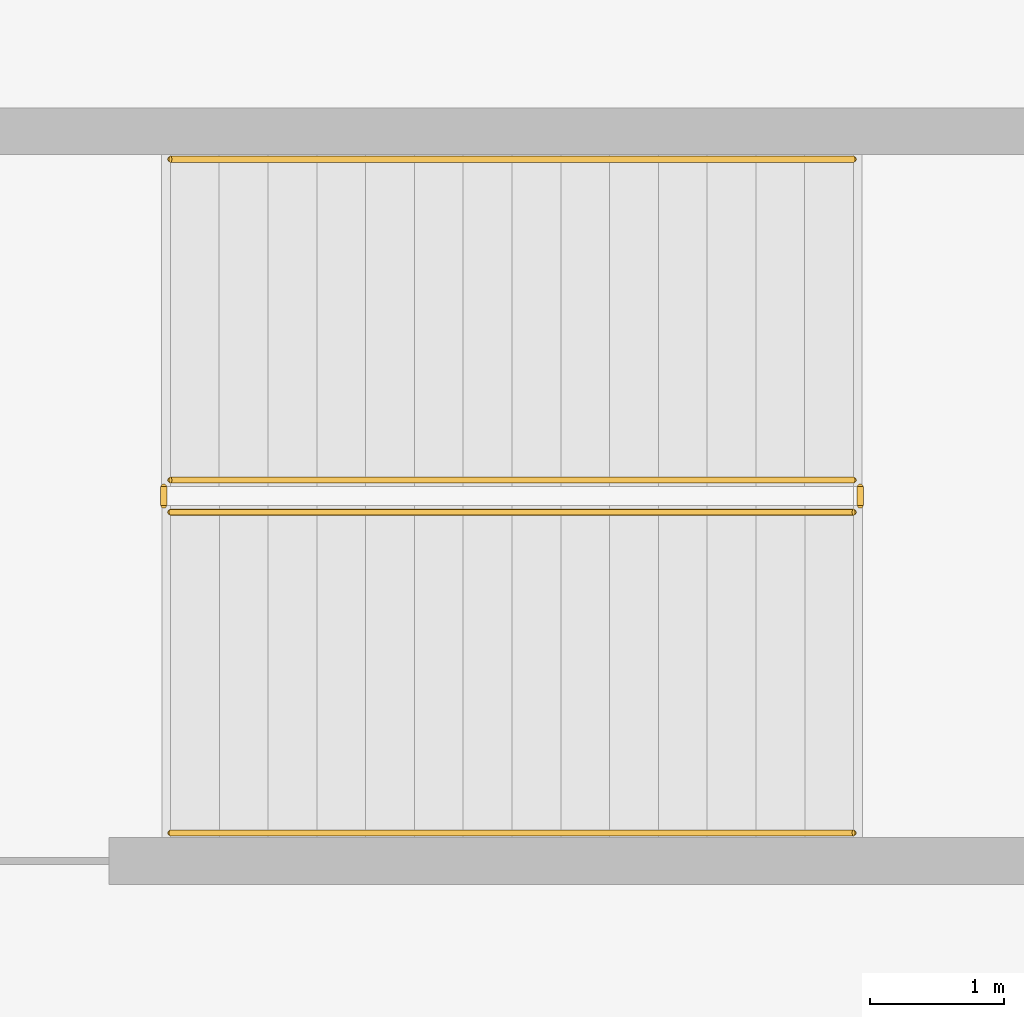
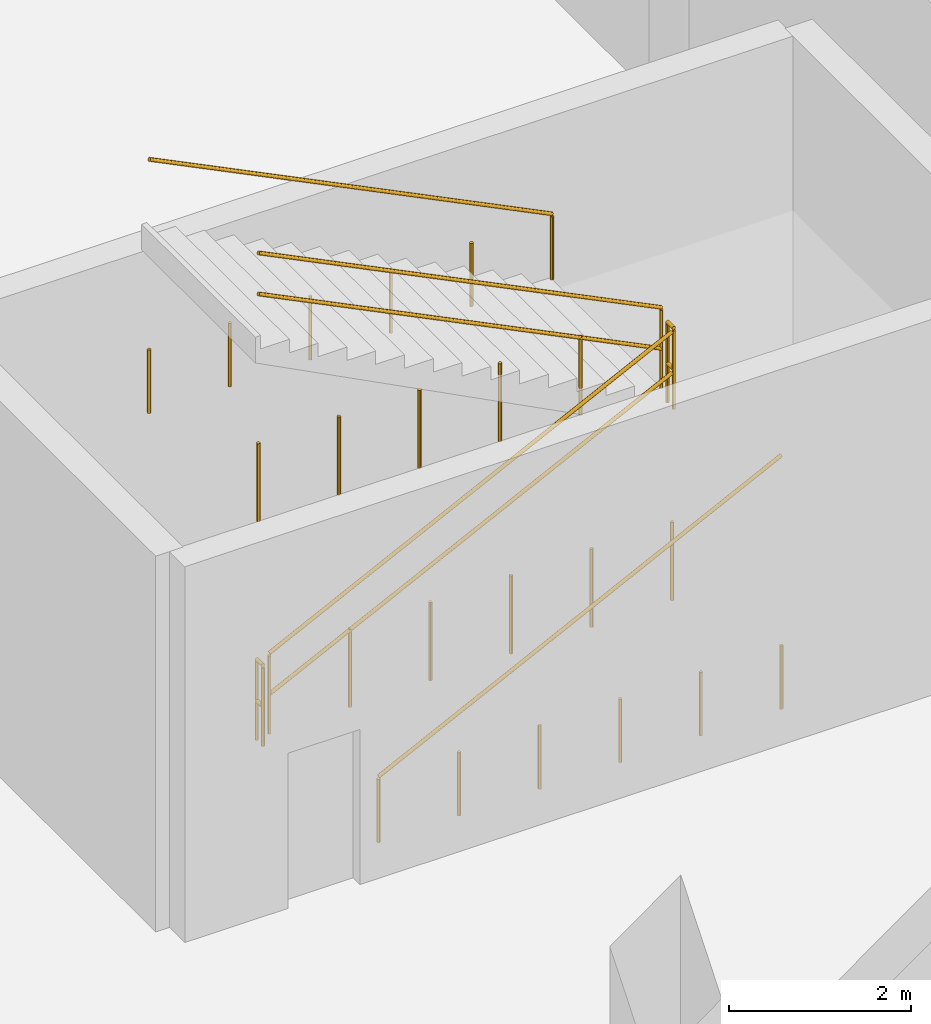
# One storey, part 41 of 44: 6 railings.
"""IFC4 building model written with IfcOpenShell, lengths in metres."""

from ifc_helpers import new_model, si_unit, direction, frame, origin, origin_2d, place, context, subcontext, project, spatial, circle, extrude, material, type_object, element, save


model = new_model("IFC4")

# Units and contexts
model_context = context("Model", 3, precision=1e-05, world=origin(), true_north=direction((0.0, 1.0)))
body_context = subcontext(model_context, "Body", "Model", "MODEL_VIEW")
ifc_project = project(units=[si_unit("LENGTHUNIT", "METRE"), si_unit("AREAUNIT", "SQUARE_METRE"), si_unit("VOLUMEUNIT", "CUBIC_METRE"), si_unit("PLANEANGLEUNIT", "RADIAN"), si_unit("MASSUNIT", "GRAM", prefix="KILO")], contexts=[model_context])

# Site, building, storey
site_placement = place(None, origin())
site = spatial("IfcSite", under=ifc_project, at=site_placement, CompositionType="ELEMENT")
building_placement = place(site_placement, origin())
building = spatial("IfcBuilding", under=site, at=building_placement, Name="Danafjord Basin Convention Centre", CompositionType="ELEMENT")
storey_placement = place(building_placement, frame((0.0, 0.0, -5.39990234375)))
storey = spatial("IfcBuildingStorey", under=building, at=storey_placement, Name="B1", CompositionType="ELEMENT", Elevation=-5.39990234375)

# Railings
ifc_material_1 = material(Name="Galvanised steel S355", Category="steel")
railing_type_1 = type_object("IfcRailingType", Name="RL-GD-WELL", PredefinedType="BALUSTRADE", material=ifc_material_1)
railing_1_placement = place(storey_placement, frame((201.080078125, 55.81005859375, 0.179931640625)))
element("IfcRailing", 1, at=railing_1_placement, inside=storey, type_object=railing_type_1, Name="B1 ST-13 stair guard 1", PredefinedType="BALUSTRADE", context=body_context, shape_type="SweptSolid", body=[
    extrude(circle(Radius=0.02392578125, at=origin_2d()), frame((0.0, 0.0, 1.076171875), z_axis=(0.89686481642, 0.0, 0.442304760396), x_axis=(0.0, 1.0, 0.0)), (0.0, 0.0, 1.0), 5.697509765625),
    extrude(circle(Radius=0.02392578125, at=origin_2d()), frame((0.0, 0.0, 0.52587890625), z_axis=(0.89686481642, 0.0, 0.442304760396), x_axis=(0.0, 1.0, 0.0)), (0.0, 0.0, 1.0), 5.697509765625),
    extrude(circle(Radius=0.02099609375, at=origin_2d()), origin(), (0.0, 0.0, 1.0), 1.050048828125),
    extrude(circle(Radius=0.02099609375, at=origin_2d()), frame((1.02197265625, 0.0, 0.0)), (0.0, 0.0, 1.0), 1.050048828125),
    extrude(circle(Radius=0.02099609375, at=origin_2d()), frame((2.0439453125, 0.0, 0.0)), (0.0, 0.0, 1.0), 1.050048828125),
    extrude(circle(Radius=0.02099609375, at=origin_2d()), frame((3.06591796875, 0.0, 0.0)), (0.0, 0.0, 1.0), 1.050048828125),
    extrude(circle(Radius=0.02099609375, at=origin_2d()), frame((4.087890625, 0.0, 0.0)), (0.0, 0.0, 1.0), 1.050048828125),
    extrude(circle(Radius=0.02099609375, at=origin_2d()), frame((5.10986328125, 0.0, 0.0)), (0.0, 0.0, 1.0), 1.050048828125),
])
railing_2_placement = place(storey_placement, frame((206.239990234375, 55.860107421875, 2.699951171875)))
element("IfcRailing", 2, at=railing_2_placement, inside=storey, type_object=railing_type_1, Name="B1 ST-13 stair guard 2", PredefinedType="BALUSTRADE", context=body_context, shape_type="SweptSolid", body=[
    extrude(circle(Radius=0.02392578125, at=origin_2d()), frame((0.0, 0.0, 1.076171875), z_axis=(0.0, 1.0, 0.0), x_axis=(-1.0, 0.0, 0.0)), (0.0, 0.0, 1.0), 0.139892578125),
    extrude(circle(Radius=0.02392578125, at=origin_2d()), frame((0.0, 0.0, 0.52587890625), z_axis=(0.0, 1.0, 0.0), x_axis=(-1.0, 0.0, 0.0)), (0.0, 0.0, 1.0), 0.139892578125),
    extrude(circle(Radius=0.02099609375, at=origin_2d()), origin(), (0.0, 0.0, 1.0), 1.050048828125),
    extrude(circle(Radius=0.02099609375, at=origin_2d()), frame((0.0, 0.139892578125, 0.0)), (0.0, 0.0, 1.0), 1.050048828125),
])
railing_3_placement = place(storey_placement, frame((206.18994140625, 56.050048828125, 2.8798828125)))
element("IfcRailing", 3, at=railing_3_placement, inside=storey, type_object=railing_type_1, Name="B1 ST-13 stair guard 3", PredefinedType="BALUSTRADE", context=body_context, shape_type="SweptSolid", body=[
    extrude(circle(Radius=0.02392578125, at=origin_2d()), frame((0.0, 0.0, 1.076171875), z_axis=(-0.89686481642, 0.0, 0.442304760396), x_axis=(0.0, -1.0, 0.0)), (0.0, 0.0, 1.0), 5.697509765625),
    extrude(circle(Radius=0.02392578125, at=origin_2d()), frame((0.0, 0.0, 0.52587890625), z_axis=(-0.89686481642, 0.0, 0.442304760396), x_axis=(0.0, -1.0, 0.0)), (0.0, 0.0, 1.0), 5.697509765625),
    extrude(circle(Radius=0.02099609375, at=origin_2d()), origin(), (0.0, 0.0, 1.0), 1.050048828125),
    extrude(circle(Radius=0.02099609375, at=origin_2d()), frame((-1.02197265625, 0.0, 0.0)), (0.0, 0.0, 1.0), 1.050048828125),
    extrude(circle(Radius=0.02099609375, at=origin_2d()), frame((-2.0439453125, 0.0, 0.0)), (0.0, 0.0, 1.0), 1.050048828125),
    extrude(circle(Radius=0.02099609375, at=origin_2d()), frame((-3.06591796875, 0.0, 0.0)), (0.0, 0.0, 1.0), 1.050048828125),
    extrude(circle(Radius=0.02099609375, at=origin_2d()), frame((-4.087890625, 0.0, 0.0)), (0.0, 0.0, 1.0), 1.050048828125),
    extrude(circle(Radius=0.02099609375, at=origin_2d()), frame((-5.10986328125, 0.0, 0.0)), (0.0, 0.0, 1.0), 1.050048828125),
])
railing_4_placement = place(storey_placement, frame((201.030029296875, 55.860107421875, 0.0)))
element("IfcRailing", 4, at=railing_4_placement, inside=storey, type_object=railing_type_1, Name="B1 ST-13 stair guard 4", PredefinedType="BALUSTRADE", context=body_context, shape_type="SweptSolid", body=[
    extrude(circle(Radius=0.02392578125, at=origin_2d()), frame((0.0, 0.0, 1.076171875), z_axis=(0.0, 1.0, 0.0), x_axis=(-1.0, 0.0, 0.0)), (0.0, 0.0, 1.0), 0.139892578125),
    extrude(circle(Radius=0.02392578125, at=origin_2d()), frame((0.0, 0.0, 0.52587890625), z_axis=(0.0, 1.0, 0.0), x_axis=(-1.0, 0.0, 0.0)), (0.0, 0.0, 1.0), 0.139892578125),
    extrude(circle(Radius=0.02099609375, at=origin_2d()), origin(), (0.0, 0.0, 1.0), 1.050048828125),
    extrude(circle(Radius=0.02099609375, at=origin_2d()), frame((0.0, 0.139892578125, 0.0)), (0.0, 0.0, 1.0), 1.050048828125),
])
ifc_material_2 = material(Name="Brushed stainless steel EN 1.4404", Category="steel")
railing_type_2 = type_object("IfcRailingType", Name="RL-HR-STAIR", PredefinedType="HANDRAIL", material=ifc_material_2)
railing_5_placement = place(storey_placement, frame((201.080078125, 53.409912109375, 0.179931640625)))
element("IfcRailing", 5, at=railing_5_placement, inside=storey, type_object=railing_type_2, Name="B1 ST-13 stair handrail 1", PredefinedType="HANDRAIL", context=body_context, shape_type="SweptSolid", body=[
    extrude(circle(Radius=0.02392578125, at=origin_2d()), frame((0.0, 0.0, 0.8759765625), z_axis=(0.89686481642, 0.0, 0.442304760396), x_axis=(0.0, 1.0, 0.0)), (0.0, 0.0, 1.0), 5.697509765625),
    extrude(circle(Radius=0.02099609375, at=origin_2d()), origin(), (0.0, 0.0, 1.0), 0.849853515625),
    extrude(circle(Radius=0.02099609375, at=origin_2d()), frame((1.02197265625, 0.0, 0.0)), (0.0, 0.0, 1.0), 0.849853515625),
    extrude(circle(Radius=0.02099609375, at=origin_2d()), frame((2.0439453125, 0.0, 0.0)), (0.0, 0.0, 1.0), 0.849853515625),
    extrude(circle(Radius=0.02099609375, at=origin_2d()), frame((3.06591796875, 0.0, 0.0)), (0.0, 0.0, 1.0), 0.849853515625),
    extrude(circle(Radius=0.02099609375, at=origin_2d()), frame((4.087890625, 0.0, 0.0)), (0.0, 0.0, 1.0), 0.849853515625),
    extrude(circle(Radius=0.02099609375, at=origin_2d()), frame((5.10986328125, 0.0, 0.0)), (0.0, 0.0, 1.0), 0.849853515625),
])
railing_6_placement = place(storey_placement, frame((206.18994140625, 58.449951171875, 2.8798828125)))
element("IfcRailing", 6, at=railing_6_placement, inside=storey, type_object=railing_type_2, Name="B1 ST-13 stair handrail 2", PredefinedType="HANDRAIL", context=body_context, shape_type="SweptSolid", body=[
    extrude(circle(Radius=0.02392578125, at=origin_2d()), frame((0.0, 0.0, 0.8759765625), z_axis=(-0.89686481642, 0.0, 0.442304760396), x_axis=(0.0, -1.0, 0.0)), (0.0, 0.0, 1.0), 5.697509765625),
    extrude(circle(Radius=0.02099609375, at=origin_2d()), origin(), (0.0, 0.0, 1.0), 0.849853515625),
    extrude(circle(Radius=0.02099609375, at=origin_2d()), frame((-1.02197265625, 0.0, 0.0)), (0.0, 0.0, 1.0), 0.849853515625),
    extrude(circle(Radius=0.02099609375, at=origin_2d()), frame((-2.0439453125, 0.0, 0.0)), (0.0, 0.0, 1.0), 0.849853515625),
    extrude(circle(Radius=0.02099609375, at=origin_2d()), frame((-3.06591796875, 0.0, 0.0)), (0.0, 0.0, 1.0), 0.849853515625),
    extrude(circle(Radius=0.02099609375, at=origin_2d()), frame((-4.087890625, 0.0, 0.0)), (0.0, 0.0, 1.0), 0.849853515625),
    extrude(circle(Radius=0.02099609375, at=origin_2d()), frame((-5.10986328125, 0.0, 0.0)), (0.0, 0.0, 1.0), 0.849853515625),
])

save(model, "model.ifc")
